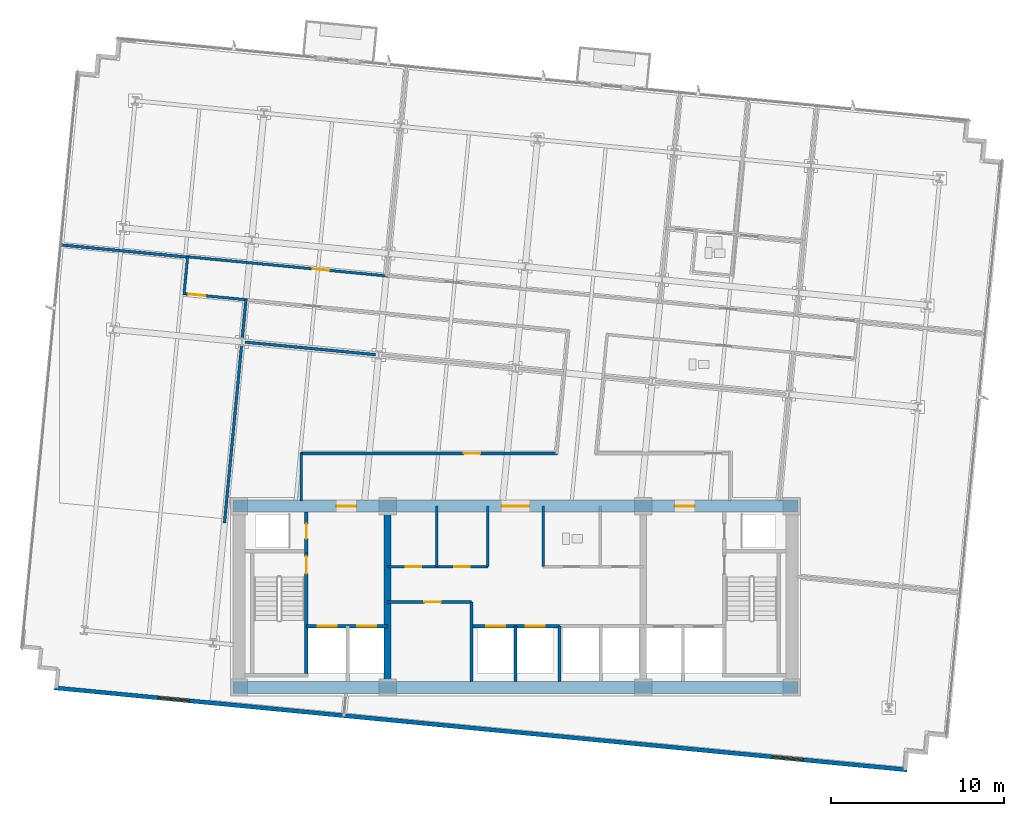
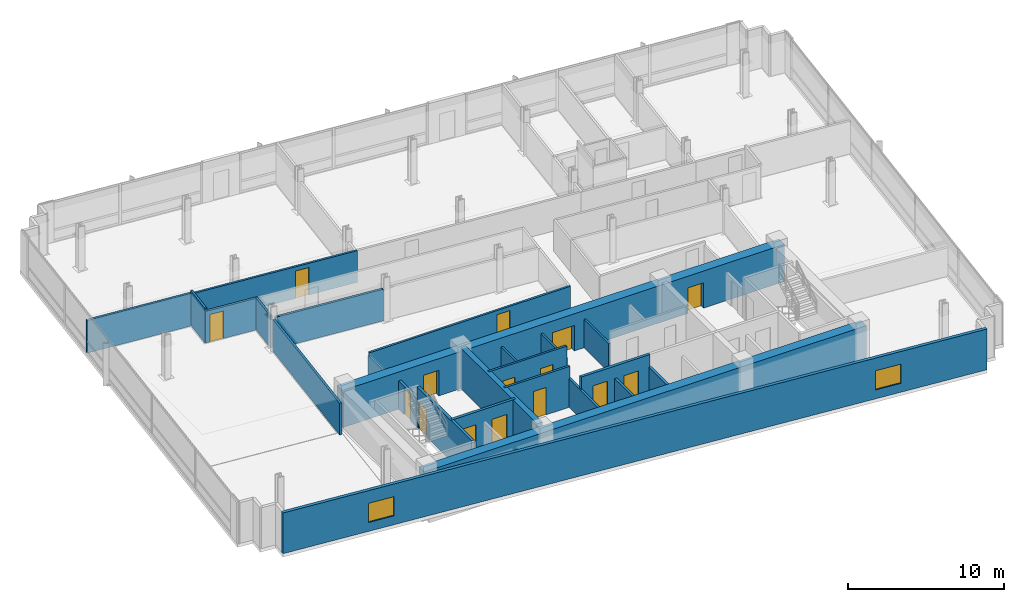
# One storey, part 10 of 17: 25 walls, 15 doors, 2 windows, 17 openings.
"""IFC4 building model written with IfcOpenShell, lengths in metres."""

from ifc_helpers import new_model, si_unit, direction, frame, frame_2d, origin, place, context, subcontext, project, spatial, rectangle, extrude, material, layer, layer_set, type_object, element, fill, save


model = new_model("IFC4")

# Units and contexts
model_context = context("Model", 3, precision=1e-05, world=origin(), true_north=direction((0.0, 1.0)))
body_context = subcontext(model_context, "Body", "Model", "MODEL_VIEW")
ifc_project = project(units=[si_unit("LENGTHUNIT", "METRE"), si_unit("AREAUNIT", "SQUARE_METRE"), si_unit("VOLUMEUNIT", "CUBIC_METRE"), si_unit("PLANEANGLEUNIT", "RADIAN"), si_unit("MASSUNIT", "GRAM", prefix="KILO")], contexts=[model_context])

# Site, building, storey
site_placement = place(None, origin())
site = spatial("IfcSite", under=ifc_project, at=site_placement, CompositionType="ELEMENT")
building_placement = place(site_placement, origin())
building = spatial("IfcBuilding", under=site, at=building_placement, Name="Solmavex Isthmus Hotel", CompositionType="ELEMENT")
storey_placement = place(building_placement, frame((0.0, 0.0, 163.5)))
storey = spatial("IfcBuildingStorey", under=building, at=storey_placement, Name="L44", CompositionType="ELEMENT", Elevation=163.5)

# Wall, openings, windows
ifc_material_1 = material(Name="Precast Concrete C40/50", Category="concrete")
ifc_layer_1 = layer(ifc_material_1, 0.25)
ifc_layer_set_1 = layer_set([ifc_layer_1], Name="Precast Concrete C40/50")
wall_type_1 = type_object("IfcWallType", Name="EW-TWR-250", PredefinedType="STANDARD", material=ifc_layer_set_1)
wall_1_placement = place(storey_placement, frame((-26.6953125, -13.01611328125, 0.0), z_axis=(0.0, 0.0, 1.0), x_axis=(0.995396268366, -0.095845025554, 0.0)))
wall_1 = element("IfcWall", 1, at=wall_1_placement, inside=storey, type_object=wall_type_1, Name="Tower Rear South Facade Wall L44", PredefinedType="STANDARD", context=body_context, shape_type="SweptSolid", body=[
    extrude(rectangle(XDim=49.599853515625, YDim=0.239990234375, at=frame_2d((24.7998046875, 0.0))), origin(), (0.0, 0.0, 1.0), 3.18994140625),
])
opening_1_placement = place(wall_1_placement, frame((6.0439453125, 0.0, 0.699951171875)))
opening_1 = element("IfcOpeningElement", 2, at=opening_1_placement, cuts=wall_1, Name="Opening WN-02", PredefinedType="OPENING", context=body_context, shape_type="SweptSolid", body=[
    extrude(rectangle(XDim=1.800048828125, YDim=1.5, at=frame_2d((0.89990234375, 0.75))), frame((0.0, 0.1298828125, 0.0), z_axis=(0.0, -1.0, 0.0), x_axis=(1.0, 0.0, 0.0)), (0.0, 0.0, 1.0), 0.260009765625),
])
opening_2_placement = place(wall_1_placement, frame((41.756103515625, 0.0, 0.699951171875)))
opening_2 = element("IfcOpeningElement", 3, at=opening_2_placement, cuts=wall_1, Name="Opening WN-02", PredefinedType="OPENING", context=body_context, shape_type="SweptSolid", body=[
    extrude(rectangle(XDim=1.800048828125, YDim=1.5, at=frame_2d((0.89990234375, 0.75))), frame((0.0, 0.1298828125, 0.0), z_axis=(0.0, -1.0, 0.0), x_axis=(1.0, 0.0, 0.0)), (0.0, 0.0, 1.0), 0.260009765625),
])
ifc_material_2 = material(Name="Clear low-E laminated glass", Category="glass")
window_type = type_object("IfcWindowType", Name="WIN-TWR-1800", PartitioningType="SINGLE_PANEL", PredefinedType="WINDOW", material=ifc_material_2)
window_1_placement = place(opening_1_placement, origin())
window_1 = element("IfcWindow", 4, at=window_1_placement, inside=storey, type_object=window_type, Name="South Facade Vision Window L44-S1", OverallHeight=1.5, OverallWidth=1.800048828125, PartitioningType="SINGLE_PANEL", PredefinedType="WINDOW", context=body_context, shape_type="SweptSolid", body=[
    extrude(rectangle(XDim=1.800048828125, YDim=1.5, at=frame_2d((0.89990234375, 0.75))), frame((0.0, 0.030029296875, 0.0), z_axis=(0.0, -1.0, 0.0), x_axis=(1.0, 0.0, 0.0)), (0.0, 0.0, 1.0), 0.06005859375),
])
fill(opening_1, window_1)
window_2_placement = place(opening_2_placement, origin())
window_2 = element("IfcWindow", 5, at=window_2_placement, inside=storey, type_object=window_type, Name="South Facade Vision Window L44-S2", OverallHeight=1.5, OverallWidth=1.800048828125, PartitioningType="SINGLE_PANEL", PredefinedType="WINDOW", context=body_context, shape_type="SweptSolid", body=[
    extrude(rectangle(XDim=1.800048828125, YDim=1.5, at=frame_2d((0.89990234375, 0.75))), frame((0.0, 0.030029296875, 0.0), z_axis=(0.0, -1.0, 0.0), x_axis=(1.0, 0.0, 0.0)), (0.0, 0.0, 1.0), 0.06005859375),
])
fill(opening_2, window_2)

# Wall, opening, door
ifc_material_3 = material(Name="Gypsum plasterboard lining", Category="gypsum")
ifc_layer_2 = layer(ifc_material_3, 0.159912109375)
ifc_layer_set_2 = layer_set([ifc_layer_2], Name="Gypsum plasterboard lining")
wall_type_2 = type_object("IfcWallType", Name="IW-COMP-160", PredefinedType="PARTITIONING", material=ifc_layer_set_2)
wall_2_placement = place(storey_placement, frame((-7.39990234375, -8.050048828125, 0.0), z_axis=(0.0, 0.0, 1.0), x_axis=(1.0, 0.0, 0.0)))
wall_2 = element("IfcWall", 6, at=wall_2_placement, inside=storey, type_object=wall_type_2, Name="Interior Partition Wall W-L44-REC-PLL-N", PredefinedType="PARTITIONING", context=body_context, shape_type="SweptSolid", body=[
    extrude(rectangle(XDim=4.849853515625, YDim=0.159912109375, at=frame_2d((2.4248046875, 0.0))), origin(), (0.0, 0.0, 1.0), 3.18994140625),
])
opening_3_placement = place(wall_2_placement, frame((2.125, 0.0, 0.0)))
opening_3 = element("IfcOpeningElement", 7, at=opening_3_placement, cuts=wall_2, Name="Opening ID-C095", PredefinedType="OPENING", context=body_context, shape_type="SweptSolid", body=[
    extrude(rectangle(XDim=0.949951171875, YDim=2.14990234375, at=frame_2d((0.47509765625, 1.074951171875))), frame((0.0, 0.08984375, 0.0), z_axis=(0.0, -1.0, 0.0), x_axis=(1.0, 0.0, 0.0)), (0.0, 0.0, 1.0), 0.179931640625),
])
ifc_material_4 = material(Name="Hardwood timber", Category="wood")
door_type_1 = type_object("IfcDoorType", Name="IDR-FD60-0950", OperationType="NOTDEFINED", PredefinedType="DOOR", material=ifc_material_4)
door_1_placement = place(opening_3_placement, origin())
door_1 = element("IfcDoor", 8, at=door_1_placement, inside=storey, type_object=door_type_1, Name="Linen Reserve Door L44", OperationType="SINGLE_SWING_LEFT", OverallHeight=2.14990234375, OverallWidth=0.949951171875, PredefinedType="DOOR", context=body_context, shape_type="SweptSolid", body=[
    extrude(rectangle(XDim=0.949951171875, YDim=2.14990234375, at=frame_2d((0.47509765625, 1.074951171875))), frame((0.0, 0.02490234375, 0.0), z_axis=(0.0, -1.0, 0.0), x_axis=(1.0, 0.0, 0.0)), (0.0, 0.0, 1.0), 0.050048828125),
])
fill(opening_3, door_1)

# Walls
wall_3_placement = place(storey_placement, frame((-2.550048828125, -12.64990234375, 0.0), z_axis=(0.0, 0.0, 1.0), x_axis=(0.0, 1.0, 0.0)))
element("IfcWall", 9, at=wall_3_placement, inside=storey, type_object=wall_type_2, Name="Interior Partition Wall W-L44-REC-PLL-E", PredefinedType="PARTITIONING", context=body_context, shape_type="SweptSolid", body=[
    extrude(rectangle(XDim=4.599853515625, YDim=0.159912109375, at=frame_2d((2.2998046875, 0.0))), origin(), (0.0, 0.0, 1.0), 2.22509765625),
])
wall_4_placement = place(storey_placement, frame((-18.942138671875, 11.91552734375, 0.0), z_axis=(0.0, 0.0, 1.0), x_axis=(-0.995395927026, 0.095848570461, 0.0)))
element("IfcWall", 10, at=wall_4_placement, inside=storey, type_object=wall_type_2, Name="Interior Partition Wall W-L44-P022", PredefinedType="PARTITIONING", context=body_context, shape_type="SweptSolid", body=[
    extrude(rectangle(XDim=7.44775390625, YDim=0.159912109375, at=frame_2d((3.723876953125, 0.0))), origin(), (0.0, 0.0, 1.0), 2.5576171875),
])
wall_5_placement = place(storey_placement, frame((-8.09326171875, 6.269775390625, 0.0), z_axis=(0.0, 0.0, 1.0), x_axis=(-0.995396962155, 0.095837819954, 0.0)))
element("IfcWall", 11, at=wall_5_placement, inside=storey, type_object=wall_type_2, Name="Interior Partition Wall W-L44-P042", PredefinedType="PARTITIONING", context=body_context, shape_type="SweptSolid", body=[
    extrude(rectangle(XDim=7.60400390625, YDim=0.159912109375, at=frame_2d((3.802001953125, 0.0))), origin(), (0.0, 0.0, 1.0), 2.4794921875),
])
wall_6_placement = place(storey_placement, frame((-15.820556640625, 7.190673828125, 0.0), z_axis=(0.0, 0.0, 1.0), x_axis=(0.09580488871, 0.995400132258, 0.0)))
element("IfcWall", 12, at=wall_6_placement, inside=storey, type_object=wall_type_2, Name="Interior Partition Wall W-L44-P045", PredefinedType="PARTITIONING", context=body_context, shape_type="SweptSolid", body=[
    extrude(rectangle(XDim=2.31396484375, YDim=0.159912109375, at=frame_2d((1.156982421875, 0.0))), origin(), (0.0, 0.0, 1.0), 2.4794921875),
])
wall_7_placement = place(storey_placement, frame((-16.846923828125, -3.468017578125, 0.0), z_axis=(0.0, 0.0, 1.0), x_axis=(0.095854804219, 0.995395326746, 0.0)))
element("IfcWall", 13, at=wall_7_placement, inside=storey, type_object=wall_type_2, Name="Interior Partition Wall W-L44-P047", PredefinedType="PARTITIONING", context=body_context, shape_type="SweptSolid", body=[
    extrude(rectangle(XDim=10.35595703125, YDim=0.159912109375, at=frame_2d((5.177978515625, 0.0))), origin(), (0.0, 0.0, 1.0), 2.4794921875),
])

# Wall, openings, doors
ifc_layer_3 = layer(ifc_material_3, 0.14990234375)
ifc_layer_set_3 = layer_set([ifc_layer_3], Name="Gypsum plasterboard lining")
wall_type_3 = type_object("IfcWallType", Name="IW-CORR-150", PredefinedType="PARTITIONING", material=ifc_layer_set_3)
wall_8_placement = place(storey_placement, frame((-7.39990234375, -6.0, 0.0), z_axis=(0.0, 0.0, 1.0), x_axis=(1.0, 0.0, 0.0)))
wall_8 = element("IfcWall", 14, at=wall_8_placement, inside=storey, type_object=wall_type_3, Name="Interior Partition Wall W-L44-BOH-WS", PredefinedType="PARTITIONING", context=body_context, shape_type="SweptSolid", body=[
    extrude(rectangle(XDim=5.7998046875, YDim=0.14990234375, at=frame_2d((2.89990234375, 0.0))), origin(), (0.0, 0.0, 1.0), 3.18994140625),
])
opening_4_placement = place(wall_8_placement, frame((1.050048828125, 0.0, 0.0)))
opening_4 = element("IfcOpeningElement", 15, at=opening_4_placement, cuts=wall_8, Name="Opening ID-C090", PredefinedType="OPENING", context=body_context, shape_type="SweptSolid", body=[
    extrude(rectangle(XDim=0.89990234375, YDim=2.10009765625, at=frame_2d((0.449951171875, 1.050048828125))), frame((0.0, 0.0849609375, 0.0), z_axis=(0.0, -1.0, 0.0), x_axis=(1.0, 0.0, 0.0)), (0.0, 0.0, 1.0), 0.169921875),
])
opening_5_placement = place(wall_8_placement, frame((3.85009765625, 0.0, 0.0)))
opening_5 = element("IfcOpeningElement", 16, at=opening_5_placement, cuts=wall_8, Name="Opening ID-C090", PredefinedType="OPENING", context=body_context, shape_type="SweptSolid", body=[
    extrude(rectangle(XDim=0.89990234375, YDim=2.10009765625, at=frame_2d((0.449951171875, 1.050048828125))), frame((0.0, 0.0849609375, 0.0), z_axis=(0.0, -1.0, 0.0), x_axis=(1.0, 0.0, 0.0)), (0.0, 0.0, 1.0), 0.169921875),
])
door_type_2 = type_object("IfcDoorType", Name="IDR-FD60-0900", OperationType="NOTDEFINED", PredefinedType="DOOR", material=ifc_material_4)
door_2_placement = place(opening_4_placement, frame((0.89990234375, 0.0, 0.0), z_axis=(0.0, 0.0, 1.0), x_axis=(-1.0, 0.0, 0.0)))
door_2 = element("IfcDoor", 17, at=door_2_placement, inside=storey, type_object=door_type_2, Name="Linen Room Door L44", OperationType="SINGLE_SWING_LEFT", OverallHeight=2.10009765625, OverallWidth=0.89990234375, PredefinedType="DOOR", context=body_context, shape_type="SweptSolid", body=[
    extrude(rectangle(XDim=0.89990234375, YDim=2.10009765625, at=frame_2d((0.449951171875, 1.050048828125))), frame((0.0, 0.02490234375, 0.0), z_axis=(0.0, -1.0, 0.0), x_axis=(1.0, 0.0, 0.0)), (0.0, 0.0, 1.0), 0.050048828125),
])
fill(opening_4, door_2)
door_3_placement = place(opening_5_placement, frame((0.89990234375, 0.0, 0.0), z_axis=(0.0, 0.0, 1.0), x_axis=(-1.0, 0.0, 0.0)))
door_3 = element("IfcDoor", 18, at=door_3_placement, inside=storey, type_object=door_type_2, Name="Ice Pantry Door L44", OperationType="SINGLE_SWING_RIGHT", OverallHeight=2.10009765625, OverallWidth=0.89990234375, PredefinedType="DOOR", context=body_context, shape_type="SweptSolid", body=[
    extrude(rectangle(XDim=0.89990234375, YDim=2.10009765625, at=frame_2d((0.449951171875, 1.050048828125))), frame((0.0, 0.02490234375, 0.0), z_axis=(0.0, -1.0, 0.0), x_axis=(1.0, 0.0, 0.0)), (0.0, 0.0, 1.0), 0.050048828125),
])
fill(opening_5, door_3)

# Walls
for number, where, z_axis, x_axis, name in (
    (19, (-1.60009765625, -6.0, 0.0), (0.0, 0.0, 1.0), (0.0, 1.0, 0.0), "Interior Partition Wall W-L44-BOH-WE"),
    (20, (1.60009765625, -6.0, 0.0), (0.0, 0.0, 1.0), (0.0, 1.0, 0.0), "Interior Partition Wall W-L44-BOH-EW"),
):
    element("IfcWall", number, at=place(storey_placement, frame(where, z_axis=z_axis, x_axis=x_axis)), inside=storey, type_object=wall_type_3, Name=name, PredefinedType="PARTITIONING", context=body_context, shape_type="SweptSolid", body=[
        extrude(rectangle(XDim=3.5, YDim=0.14990234375, at=frame_2d((1.75, 0.0))), origin(), (0.0, 0.0, 1.0), 2.22509765625),
    ])

# Wall, opening, door
wall_9_placement = place(storey_placement, frame((-19.019775390625, 11.943115234375, 0.0), z_axis=(0.0, 0.0, 1.0), x_axis=(0.995395421372, -0.095853821582, 0.0)))
wall_9 = element("IfcWall", 21, at=wall_9_placement, inside=storey, type_object=wall_type_3, Name="Interior Partition Wall W-L44-P001", PredefinedType="PARTITIONING", context=body_context, shape_type="SweptSolid", body=[
    extrude(rectangle(XDim=11.677978515625, YDim=0.14990234375, at=frame_2d((5.8388671875, 0.0))), origin(), (0.0, 0.0, 1.0), 2.4794921875),
])
opening_6_placement = place(wall_9_placement, frame((7.3125, 0.0, 0.0)))
opening_6 = element("IfcOpeningElement", 22, at=opening_6_placement, cuts=wall_9, Name="Opening ID-C095", PredefinedType="OPENING", context=body_context, shape_type="SweptSolid", body=[
    extrude(rectangle(XDim=0.949951171875, YDim=2.14990234375, at=frame_2d((0.47509765625, 1.074951171875))), frame((0.0, 0.0849609375, 0.0), z_axis=(0.0, -1.0, 0.0), x_axis=(1.0, 0.0, 0.0)), (0.0, 0.0, 1.0), 0.169921875),
])
door_4_placement = place(opening_6_placement, frame((0.949951171875, 0.0, 0.0), z_axis=(0.0, 0.0, 1.0), x_axis=(-1.0, 0.0, 0.0)))
door_4 = element("IfcDoor", 23, at=door_4_placement, inside=storey, type_object=door_type_1, Name="Corporate Briefing Office Door L44-01", OperationType="SINGLE_SWING_LEFT", OverallHeight=2.14990234375, OverallWidth=0.949951171875, PredefinedType="DOOR", context=body_context, shape_type="SweptSolid", body=[
    extrude(rectangle(XDim=0.949951171875, YDim=2.14990234375, at=frame_2d((0.47509765625, 1.074951171875))), frame((0.0, 0.02490234375, 0.0), z_axis=(0.0, -1.0, 0.0), x_axis=(1.0, 0.0, 0.0)), (0.0, 0.0, 1.0), 0.050048828125),
])
fill(opening_6, door_4)

# Wall
wall_10_placement = place(storey_placement, frame((-12.39990234375, -2.18994140625, 0.0), z_axis=(0.0, 0.0, 1.0), x_axis=(0.0, 1.0, 0.0)))
element("IfcWall", 24, at=wall_10_placement, inside=storey, type_object=wall_type_3, Name="Interior Partition Wall W-L44-P012", PredefinedType="PARTITIONING", context=body_context, shape_type="SweptSolid", body=[
    extrude(rectangle(XDim=2.780029296875, YDim=0.14990234375, at=frame_2d((1.39013671875, 0.0))), origin(), (0.0, 0.0, 1.0), 2.22509765625),
])

# Wall, opening, door
wall_11_placement = place(storey_placement, frame((-12.43994140625, 0.550048828125, 0.0), z_axis=(0.0, 0.0, 1.0), x_axis=(1.0, 0.0, 0.0)))
wall_11 = element("IfcWall", 25, at=wall_11_placement, inside=storey, type_object=wall_type_3, Name="Interior Partition Wall W-L44-P013", PredefinedType="PARTITIONING", context=body_context, shape_type="SweptSolid", body=[
    extrude(rectangle(XDim=14.876708984375, YDim=0.14990234375, at=frame_2d((7.4384765625, 0.0))), origin(), (0.0, 0.0, 1.0), 2.4794921875),
])
opening_7_placement = place(wall_11_placement, frame((9.44921875, 0.0, 0.0)))
opening_7 = element("IfcOpeningElement", 26, at=opening_7_placement, cuts=wall_11, Name="Opening ID-C095", PredefinedType="OPENING", context=body_context, shape_type="SweptSolid", body=[
    extrude(rectangle(XDim=0.949951171875, YDim=2.14990234375, at=frame_2d((0.47509765625, 1.074951171875))), frame((0.0, 0.0849609375, 0.0), z_axis=(0.0, -1.0, 0.0), x_axis=(1.0, 0.0, 0.0)), (0.0, 0.0, 1.0), 0.169921875),
])
door_5_placement = place(opening_7_placement, frame((0.949951171875, 0.0, 0.0), z_axis=(0.0, 0.0, 1.0), x_axis=(-1.0, 0.0, 0.0)))
door_5 = element("IfcDoor", 27, at=door_5_placement, inside=storey, type_object=door_type_1, Name="Private Dining Room Door L44-11", OperationType="SINGLE_SWING_LEFT", OverallHeight=2.14990234375, OverallWidth=0.949951171875, PredefinedType="DOOR", context=body_context, shape_type="SweptSolid", body=[
    extrude(rectangle(XDim=0.949951171875, YDim=2.14990234375, at=frame_2d((0.47509765625, 1.074951171875))), frame((0.0, 0.02490234375, 0.0), z_axis=(0.0, -1.0, 0.0), x_axis=(1.0, 0.0, 0.0)), (0.0, 0.0, 1.0), 0.050048828125),
])
fill(opening_7, door_5)

wall_12_placement = place(storey_placement, frame((-15.52099609375, 9.4462890625, 0.0), z_axis=(0.0, 0.0, 1.0), x_axis=(-0.995397364202, 0.095833644092, 0.0)))
wall_12 = element("IfcWall", 28, at=wall_12_placement, inside=storey, type_object=wall_type_3, Name="Interior Partition Wall W-L44-P017", PredefinedType="PARTITIONING", context=body_context, shape_type="SweptSolid", body=[
    extrude(rectangle(XDim=3.721923828125, YDim=0.14990234375, at=frame_2d((1.86083984375, 0.0))), origin(), (0.0, 0.0, 1.0), 2.4794921875),
])
opening_8_placement = place(wall_12_placement, frame((2.456787109375, 0.0, 0.0)))
opening_8 = element("IfcOpeningElement", 29, at=opening_8_placement, cuts=wall_12, Name="Opening ID-C095", PredefinedType="OPENING", context=body_context, shape_type="SweptSolid", body=[
    extrude(rectangle(XDim=0.949951171875, YDim=2.14990234375, at=frame_2d((0.47509765625, 1.074951171875))), frame((0.0, 0.0849609375, 0.0), z_axis=(0.0, -1.0, 0.0), x_axis=(1.0, 0.0, 0.0)), (0.0, 0.0, 1.0), 0.169921875),
])
door_6_placement = place(opening_8_placement, frame((0.949951171875, 0.0, 0.0), z_axis=(0.0, 0.0, 1.0), x_axis=(-1.0, 0.0, 0.0)))
door_6 = element("IfcDoor", 30, at=door_6_placement, inside=storey, type_object=door_type_1, Name="Corporate Briefing Office Door L44-13", OperationType="SINGLE_SWING_LEFT", OverallHeight=2.14990234375, OverallWidth=0.949951171875, PredefinedType="DOOR", context=body_context, shape_type="SweptSolid", body=[
    extrude(rectangle(XDim=0.949951171875, YDim=2.14990234375, at=frame_2d((0.47509765625, 1.074951171875))), frame((0.0, 0.02490234375, 0.0), z_axis=(0.0, -1.0, 0.0), x_axis=(1.0, 0.0, 0.0)), (0.0, 0.0, 1.0), 0.050048828125),
])
fill(opening_8, door_6)

# Walls
wall_13_placement = place(storey_placement, frame((-19.18994140625, 9.75927734375, 0.0), z_axis=(0.0, 0.0, 1.0), x_axis=(0.095882898123, 0.995392620953, 0.0)))
element("IfcWall", 31, at=wall_13_placement, inside=storey, type_object=wall_type_3, Name="Interior Partition Wall W-L44-P018", PredefinedType="PARTITIONING", context=body_context, shape_type="SweptSolid", body=[
    extrude(rectangle(XDim=2.210205078125, YDim=0.14990234375, at=frame_2d((1.10498046875, 0.0))), origin(), (0.0, 0.0, 1.0), 2.718017578125),
])
ifc_layer_4 = layer(ifc_material_3, 0.1201171875)
ifc_layer_set_4 = layer_set([ifc_layer_4], Name="Gypsum plasterboard lining")
wall_type_4 = type_object("IfcWallType", Name="IW-PART-120", PredefinedType="PARTITIONING", material=ifc_layer_set_4)
wall_14_placement = place(storey_placement, frame((-4.550048828125, -6.0, 0.0), z_axis=(0.0, 0.0, 1.0), x_axis=(0.0, 1.0, 0.0)))
element("IfcWall", 32, at=wall_14_placement, inside=storey, type_object=wall_type_4, Name="Interior Partition Wall W-L44-BOH-WM2", PredefinedType="PARTITIONING", context=body_context, shape_type="SweptSolid", body=[
    extrude(rectangle(XDim=3.5, YDim=0.14990234375, at=frame_2d((1.75, 0.0))), origin(), (0.0, 0.0, 1.0), 2.22509765625),
])
ifc_material_5 = material(Name="Concrete C40/50", Category="concrete")
ifc_layer_5 = layer(ifc_material_5, 0.179931640625)
ifc_layer_set_5 = layer_set([ifc_layer_5], Name="Concrete C40/50")
wall_type_5 = type_object("IfcWallType", Name="IW-SHAFT-180", PredefinedType="PARTITIONING", material=ifc_layer_set_5)
wall_15_placement = place(storey_placement, frame((0.0, -12.64990234375, 0.0), z_axis=(0.0, 0.0, 1.0), x_axis=(0.0, 1.0, 0.0)))
element("IfcWall", 33, at=wall_15_placement, inside=storey, type_object=wall_type_5, Name="Interior Partition Wall W-L44-SH-PLM-M", PredefinedType="PARTITIONING", context=body_context, shape_type="SweptSolid", body=[
    extrude(rectangle(XDim=3.199951171875, YDim=0.179931640625, at=frame_2d((1.60009765625, 0.0))), origin(), (0.0, 0.0, 1.0), 2.22509765625),
])

# Wall, opening, door
ifc_layer_6 = layer(ifc_material_5, 0.199951171875)
ifc_layer_set_6 = layer_set([ifc_layer_6], Name="Concrete C40/50")
wall_type_6 = type_object("IfcWallType", Name="IW-SHAFT-200", PredefinedType="PARTITIONING", material=ifc_layer_set_6)
wall_16_placement = place(storey_placement, frame((-12.10009765625, -5.199951171875, 0.0), z_axis=(0.0, 0.0, 1.0), x_axis=(0.0, 1.0, 0.0)))
wall_16 = element("IfcWall", 34, at=wall_16_placement, inside=storey, type_object=wall_type_6, Name="Interior Partition Wall W-L44-RSW-E", PredefinedType="PARTITIONING", context=body_context, shape_type="SweptSolid", body=[
    extrude(rectangle(XDim=2.349853515625, YDim=0.199951171875, at=frame_2d((1.1748046875, 0.0))), origin(), (0.0, 0.0, 1.0), 2.22509765625),
])
opening_9_placement = place(wall_16_placement, frame((0.824951171875, 0.0, 0.0)))
opening_9 = element("IfcOpeningElement", 35, at=opening_9_placement, cuts=wall_16, Name="Opening ID-R085", PredefinedType="OPENING", context=body_context, shape_type="SweptSolid", body=[
    extrude(rectangle(XDim=0.85009765625, YDim=2.050048828125, at=frame_2d((0.425048828125, 1.02490234375))), frame((0.0, 0.10986328125, 0.0), z_axis=(0.0, -1.0, 0.0), x_axis=(1.0, 0.0, 0.0)), (0.0, 0.0, 1.0), 0.219970703125),
])
ifc_material_6 = material(Name="Steel ASTM A500 Grade C", Category="steel")
door_type_3 = type_object("IfcDoorType", Name="IDR-FD60-0850", OperationType="NOTDEFINED", PredefinedType="DOOR", material=ifc_material_6)
door_7_placement = place(opening_9_placement, origin())
door_7 = element("IfcDoor", 36, at=door_7_placement, inside=storey, type_object=door_type_3, Name="Electrical Riser Door L44", OperationType="SINGLE_SWING_RIGHT", OverallHeight=2.050048828125, OverallWidth=0.85009765625, PredefinedType="DOOR", context=body_context, shape_type="SweptSolid", body=[
    extrude(rectangle(XDim=0.85009765625, YDim=2.050048828125, at=frame_2d((0.425048828125, 1.02490234375))), frame((0.0, 0.02490234375, 0.0), z_axis=(0.0, -1.0, 0.0), x_axis=(1.0, 0.0, 0.0)), (0.0, 0.0, 1.0), 0.050048828125),
])
fill(opening_9, door_7)

# Wall, openings, doors
wall_17_placement = place(storey_placement, frame((-12.10009765625, -9.449951171875, 0.0), z_axis=(0.0, 0.0, 1.0), x_axis=(1.0, 0.0, 0.0)))
wall_17 = element("IfcWall", 37, at=wall_17_placement, inside=storey, type_object=wall_type_6, Name="Interior Partition Wall W-L44-FFLW-S", PredefinedType="PARTITIONING", context=body_context, shape_type="SweptSolid", body=[
    extrude(rectangle(XDim=4.7001953125, YDim=0.199951171875, at=frame_2d((2.35009765625, 0.0))), origin(), (0.0, 0.0, 1.0), 3.18994140625),
])
opening_10_placement = place(wall_17_placement, frame((0.64990234375, 0.0, 0.0)))
opening_10 = element("IfcOpeningElement", 38, at=opening_10_placement, cuts=wall_17, Name="Opening LD-FF", PredefinedType="OPENING", context=body_context, shape_type="SweptSolid", body=[
    extrude(rectangle(XDim=1.10009765625, YDim=2.199951171875, at=frame_2d((0.550048828125, 1.10009765625))), frame((0.0, 0.10986328125, 0.0), z_axis=(0.0, -1.0, 0.0), x_axis=(1.0, 0.0, 0.0)), (0.0, 0.0, 1.0), 0.219970703125),
])
opening_11_placement = place(wall_17_placement, frame((2.949951171875, 0.0, 0.0)))
opening_11 = element("IfcOpeningElement", 39, at=opening_11_placement, cuts=wall_17, Name="Opening LD-SV", PredefinedType="OPENING", context=body_context, shape_type="SweptSolid", body=[
    extrude(rectangle(XDim=1.10009765625, YDim=2.199951171875, at=frame_2d((0.550048828125, 1.10009765625))), frame((0.0, 0.10986328125, 0.0), z_axis=(0.0, -1.0, 0.0), x_axis=(1.0, 0.0, 0.0)), (0.0, 0.0, 1.0), 0.219970703125),
])
ifc_material_7 = material(Name="Stainless steel 316", Category="steel")
door_type_4 = type_object("IfcDoorType", Name="LDR-FF-1100", OperationType="NOTDEFINED", PredefinedType="DOOR", material=ifc_material_7)
door_8_placement = place(opening_10_placement, origin())
door_8 = element("IfcDoor", 40, at=door_8_placement, inside=storey, type_object=door_type_4, Name="Lift Landing Door FFL-1 L44", OperationType="SLIDING_TO_LEFT", OverallHeight=2.199951171875, OverallWidth=1.10009765625, PredefinedType="DOOR", context=body_context, shape_type="SweptSolid", body=[
    extrude(rectangle(XDim=1.10009765625, YDim=2.199951171875, at=frame_2d((0.550048828125, 1.10009765625))), frame((0.0, 0.02490234375, 0.0), z_axis=(0.0, -1.0, 0.0), x_axis=(1.0, 0.0, 0.0)), (0.0, 0.0, 1.0), 0.050048828125),
])
fill(opening_10, door_8)
door_type_5 = type_object("IfcDoorType", Name="LDR-SV-1100", OperationType="NOTDEFINED", PredefinedType="DOOR", material=ifc_material_7)
door_9_placement = place(opening_11_placement, origin())
door_9 = element("IfcDoor", 41, at=door_9_placement, inside=storey, type_object=door_type_5, Name="Lift Landing Door SVL-1 L44", OperationType="SLIDING_TO_RIGHT", OverallHeight=2.199951171875, OverallWidth=1.10009765625, PredefinedType="DOOR", context=body_context, shape_type="SweptSolid", body=[
    extrude(rectangle(XDim=1.10009765625, YDim=2.199951171875, at=frame_2d((0.550048828125, 1.10009765625))), frame((0.0, 0.02490234375, 0.0), z_axis=(0.0, -1.0, 0.0), x_axis=(1.0, 0.0, 0.0)), (0.0, 0.0, 1.0), 0.050048828125),
])
fill(opening_11, door_9)

wall_18_placement = place(storey_placement, frame((-2.550048828125, -9.449951171875, 0.0), z_axis=(0.0, 0.0, 1.0), x_axis=(1.0, 0.0, 0.0)))
wall_18 = element("IfcWall", 42, at=wall_18_placement, inside=storey, type_object=wall_type_6, Name="Interior Partition Wall W-L44-SH-PLM", PredefinedType="PARTITIONING", context=body_context, shape_type="SweptSolid", body=[
    extrude(rectangle(XDim=5.10009765625, YDim=0.199951171875, at=frame_2d((2.550048828125, 0.0))), origin(), (0.0, 0.0, 1.0), 3.18994140625),
])
opening_12_placement = place(wall_18_placement, frame((0.85009765625, 0.0, 0.0)))
opening_12 = element("IfcOpeningElement", 43, at=opening_12_placement, cuts=wall_18, Name="Opening LD-PL", PredefinedType="OPENING", context=body_context, shape_type="SweptSolid", body=[
    extrude(rectangle(XDim=1.10009765625, YDim=2.199951171875, at=frame_2d((0.550048828125, 1.10009765625))), frame((0.0, 0.10986328125, 0.0), z_axis=(0.0, -1.0, 0.0), x_axis=(1.0, 0.0, 0.0)), (0.0, 0.0, 1.0), 0.219970703125),
])
opening_13_placement = place(wall_18_placement, frame((3.14990234375, 0.0, 0.0)))
opening_13 = element("IfcOpeningElement", 44, at=opening_13_placement, cuts=wall_18, Name="Opening LD-PL", PredefinedType="OPENING", context=body_context, shape_type="SweptSolid", body=[
    extrude(rectangle(XDim=1.10009765625, YDim=2.199951171875, at=frame_2d((0.550048828125, 1.10009765625))), frame((0.0, 0.10986328125, 0.0), z_axis=(0.0, -1.0, 0.0), x_axis=(1.0, 0.0, 0.0)), (0.0, 0.0, 1.0), 0.219970703125),
])
door_type_6 = type_object("IfcDoorType", Name="LDR-PL-1100", OperationType="NOTDEFINED", PredefinedType="DOOR", material=ifc_material_7)
door_10_placement = place(opening_12_placement, origin())
door_10 = element("IfcDoor", 45, at=door_10_placement, inside=storey, type_object=door_type_6, Name="Lift Landing Door PLM1 L44", OperationType="SLIDING_TO_RIGHT", OverallHeight=2.199951171875, OverallWidth=1.10009765625, PredefinedType="DOOR", context=body_context, shape_type="SweptSolid", body=[
    extrude(rectangle(XDim=1.10009765625, YDim=2.199951171875, at=frame_2d((0.550048828125, 1.10009765625))), frame((0.0, 0.02490234375, 0.0), z_axis=(0.0, -1.0, 0.0), x_axis=(1.0, 0.0, 0.0)), (0.0, 0.0, 1.0), 0.050048828125),
])
fill(opening_12, door_10)
door_11_placement = place(opening_13_placement, origin())
door_11 = element("IfcDoor", 46, at=door_11_placement, inside=storey, type_object=door_type_6, Name="Lift Landing Door PLM2 L44", OperationType="SLIDING_TO_RIGHT", OverallHeight=2.199951171875, OverallWidth=1.10009765625, PredefinedType="DOOR", context=body_context, shape_type="SweptSolid", body=[
    extrude(rectangle(XDim=1.10009765625, YDim=2.199951171875, at=frame_2d((0.550048828125, 1.10009765625))), frame((0.0, 0.02490234375, 0.0), z_axis=(0.0, -1.0, 0.0), x_axis=(1.0, 0.0, 0.0)), (0.0, 0.0, 1.0), 0.050048828125),
])
fill(opening_13, door_11)

# Walls
wall_19_placement = place(storey_placement, frame((2.550048828125, -12.64990234375, 0.0), z_axis=(0.0, 0.0, 1.0), x_axis=(0.0, 1.0, 0.0)))
element("IfcWall", 47, at=wall_19_placement, inside=storey, type_object=wall_type_6, Name="Interior Partition Wall W-L44-SH-PLM-E", PredefinedType="PARTITIONING", context=body_context, shape_type="SweptSolid", body=[
    extrude(rectangle(XDim=3.199951171875, YDim=0.199951171875, at=frame_2d((1.60009765625, 0.0))), origin(), (0.0, 0.0, 1.0), 2.22509765625),
])
ifc_material_8 = material(Name="Concrete C60/75", Category="concrete")
ifc_layer_7 = layer(ifc_material_8, 0.39990234375)
ifc_layer_set_7 = layer_set([ifc_layer_7], Name="Concrete C60/75")
wall_type_7 = type_object("IfcWallType", Name="WALL-CW-400M", PredefinedType="SHEAR", material=ifc_layer_set_7)
wall_20_placement = place(storey_placement, frame((-7.39990234375, -12.64990234375, 0.0), z_axis=(0.0, 0.0, 1.0), x_axis=(0.0, 1.0, 0.0)))
element("IfcWall", 48, at=wall_20_placement, inside=storey, type_object=wall_type_7, Name="Core Cross Shear Wall C1 L44", PredefinedType="SHEAR", context=body_context, shape_type="SweptSolid", body=[
    extrude(rectangle(XDim=9.7998046875, YDim=0.39990234375, at=frame_2d((4.89990234375, 0.0))), origin(), (0.0, 0.0, 1.0), 3.18994140625),
])
ifc_layer_8 = layer(ifc_material_8, 0.699951171875)
ifc_layer_set_8 = layer_set([ifc_layer_8], Name="Concrete C60/75")
wall_type_8 = type_object("IfcWallType", Name="WALL-CW-700", PredefinedType="SHEAR", material=ifc_layer_set_8)
wall_21_placement = place(storey_placement, frame((-16.35009765625, -13.0, 0.0), z_axis=(0.0, 0.0, 1.0), x_axis=(1.0, 0.0, 0.0)))
element("IfcWall", 49, at=wall_21_placement, inside=storey, type_object=wall_type_8, Name="Core Shear Wall South L44", PredefinedType="SHEAR", context=body_context, shape_type="SweptSolid", body=[
    extrude(rectangle(XDim=32.7001953125, YDim=0.699951171875, at=frame_2d((16.35009765625, 0.0))), origin(), (0.0, 0.0, 1.0), 2.909912109375),
])

# Wall, openings, doors
wall_22_placement = place(storey_placement, frame((-16.35009765625, -2.5, 0.0), z_axis=(0.0, 0.0, 1.0), x_axis=(1.0, 0.0, 0.0)))
wall_22 = element("IfcWall", 50, at=wall_22_placement, inside=storey, type_object=wall_type_8, Name="Core Shear Wall North L44", PredefinedType="SHEAR", context=body_context, shape_type="SweptSolid", body=[
    extrude(rectangle(XDim=32.7001953125, YDim=0.699951171875, at=frame_2d((16.35009765625, 0.0))), origin(), (0.0, 0.0, 1.0), 2.909912109375),
])
opening_14_placement = place(wall_22_placement, frame((5.97509765625, 0.0, 0.0)))
opening_14 = element("IfcOpeningElement", 51, at=opening_14_placement, cuts=wall_22, Name="Opening ID-F915", PredefinedType="OPENING", context=body_context, shape_type="SweptSolid", body=[
    extrude(rectangle(XDim=1.14990234375, YDim=2.0, at=frame_2d((0.574951171875, 1.0))), frame((0.0, 0.35986328125, 0.0), z_axis=(0.0, -1.0, 0.0), x_axis=(1.0, 0.0, 0.0)), (0.0, 0.0, 1.0), 0.719970703125),
])
opening_15_placement = place(wall_22_placement, frame((15.550048828125, 0.0, 0.0)))
opening_15 = element("IfcOpeningElement", 52, at=opening_15_placement, cuts=wall_22, Name="Opening ID-F960", PredefinedType="OPENING", context=body_context, shape_type="SweptSolid", body=[
    extrude(rectangle(XDim=1.60009765625, YDim=2.0, at=frame_2d((0.800048828125, 1.0))), frame((0.0, 0.35986328125, 0.0), z_axis=(0.0, -1.0, 0.0), x_axis=(1.0, 0.0, 0.0)), (0.0, 0.0, 1.0), 0.719970703125),
])
opening_16_placement = place(wall_22_placement, frame((25.574951171875, 0.0, 0.0)))
opening_16 = element("IfcOpeningElement", 53, at=opening_16_placement, cuts=wall_22, Name="Opening ID-F915", PredefinedType="OPENING", context=body_context, shape_type="SweptSolid", body=[
    extrude(rectangle(XDim=1.14990234375, YDim=2.0, at=frame_2d((0.574951171875, 1.0))), frame((0.0, 0.35986328125, 0.0), z_axis=(0.0, -1.0, 0.0), x_axis=(1.0, 0.0, 0.0)), (0.0, 0.0, 1.0), 0.719970703125),
])
door_type_7 = type_object("IfcDoorType", Name="IDR-FD90-1150C", OperationType="NOTDEFINED", PredefinedType="DOOR", material=ifc_material_6)
door_12_placement = place(opening_14_placement, origin())
door_12 = element("IfcDoor", 54, at=door_12_placement, inside=storey, type_object=door_type_7, Name="Firefighting Lobby West Exit Door L44", OperationType="SINGLE_SWING_LEFT", OverallHeight=2.0, OverallWidth=1.14990234375, PredefinedType="DOOR", context=body_context, shape_type="SweptSolid", body=[
    extrude(rectangle(XDim=1.14990234375, YDim=2.0, at=frame_2d((0.574951171875, 1.0))), frame((0.0, 0.02490234375, 0.0), z_axis=(0.0, -1.0, 0.0), x_axis=(1.0, 0.0, 0.0)), (0.0, 0.0, 1.0), 0.050048828125),
])
fill(opening_14, door_12)
door_13_placement = place(opening_16_placement, origin())
door_13 = element("IfcDoor", 55, at=door_13_placement, inside=storey, type_object=door_type_7, Name="Firefighting Lobby East Exit Door L44", OperationType="SINGLE_SWING_RIGHT", OverallHeight=2.0, OverallWidth=1.14990234375, PredefinedType="DOOR", context=body_context, shape_type="SweptSolid", body=[
    extrude(rectangle(XDim=1.14990234375, YDim=2.0, at=frame_2d((0.574951171875, 1.0))), frame((0.0, 0.02490234375, 0.0), z_axis=(0.0, -1.0, 0.0), x_axis=(1.0, 0.0, 0.0)), (0.0, 0.0, 1.0), 0.050048828125),
])
fill(opening_16, door_13)
door_type_8 = type_object("IfcDoorType", Name="IDR-FD90-1600C", OperationType="NOTDEFINED", PredefinedType="DOOR", material=ifc_material_6)
door_14_placement = place(opening_15_placement, origin())
door_14 = element("IfcDoor", 56, at=door_14_placement, inside=storey, type_object=door_type_8, Name="Central Lift Lobby Door L44", OperationType="DOUBLE_DOOR_SINGLE_SWING", OverallHeight=2.0, OverallWidth=1.60009765625, PredefinedType="DOOR", context=body_context, shape_type="SweptSolid", body=[
    extrude(rectangle(XDim=1.60009765625, YDim=2.0, at=frame_2d((0.800048828125, 1.0))), frame((0.0, 0.02490234375, 0.0), z_axis=(0.0, -1.0, 0.0), x_axis=(1.0, 0.0, 0.0)), (0.0, 0.0, 1.0), 0.050048828125),
])
fill(opening_15, door_14)

# Wall, opening, door
ifc_layer_9 = layer(ifc_material_5, 0.199951171875)
ifc_layer_set_9 = layer_set([ifc_layer_9], Name="Concrete C40/50")
wall_type_9 = type_object("IfcWallType", Name="WALL-SW-200", PredefinedType="SOLIDWALL", material=ifc_layer_set_9)
wall_23_placement = place(storey_placement, frame((-12.10009765625, -12.199951171875, 0.0), z_axis=(0.0, 0.0, 1.0), x_axis=(0.0, 1.0, 0.0)))
wall_23 = element("IfcWall", 57, at=wall_23_placement, inside=storey, type_object=wall_type_9, Name="Stairwell Structural Wall SW-L44-ST1-E", PredefinedType="SOLIDWALL", context=body_context, shape_type="SweptSolid", body=[
    extrude(rectangle(XDim=7.0, YDim=0.199951171875, at=frame_2d((3.5, 0.0))), origin(), (0.0, 0.0, 1.0), 3.18994140625),
])
opening_17_placement = place(wall_23_placement, frame((5.800048828125, 0.0, 0.0)))
opening_17 = element("IfcOpeningElement", 58, at=opening_17_placement, cuts=wall_23, Name="Opening ID-F100", PredefinedType="OPENING", context=body_context, shape_type="SweptSolid", body=[
    extrude(rectangle(XDim=1.0, YDim=2.10009765625, at=frame_2d((0.5, 1.050048828125))), frame((0.0, 0.10986328125, 0.0), z_axis=(0.0, -1.0, 0.0), x_axis=(1.0, 0.0, 0.0)), (0.0, 0.0, 1.0), 0.219970703125),
])
door_type_9 = type_object("IfcDoorType", Name="IDR-FD90-1000", OperationType="NOTDEFINED", PredefinedType="DOOR", material=ifc_material_6)
door_15_placement = place(opening_17_placement, frame((1.0, 0.0, 0.0), z_axis=(0.0, 0.0, 1.0), x_axis=(-1.0, 0.0, 0.0)))
door_15 = element("IfcDoor", 59, at=door_15_placement, inside=storey, type_object=door_type_9, Name="Stair ST-1 Fire Door L44", OperationType="SINGLE_SWING_LEFT", OverallHeight=2.10009765625, OverallWidth=1.0, PredefinedType="DOOR", context=body_context, shape_type="SweptSolid", body=[
    extrude(rectangle(XDim=1.0, YDim=2.10009765625, at=frame_2d((0.5, 1.050048828125))), frame((0.0, 0.02490234375, 0.0), z_axis=(0.0, -1.0, 0.0), x_axis=(1.0, 0.0, 0.0)), (0.0, 0.0, 1.0), 0.050048828125),
])
fill(opening_17, door_15)

save(model, "model.ifc")
